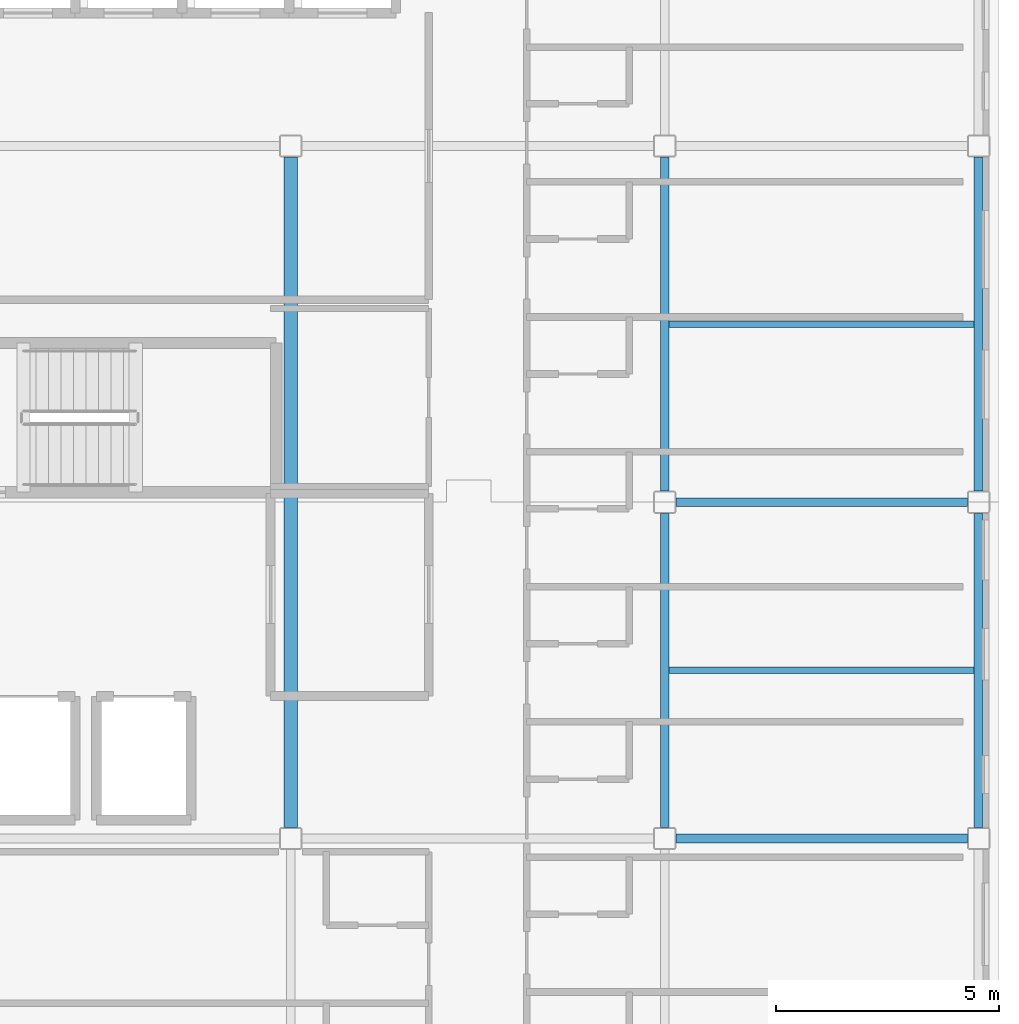
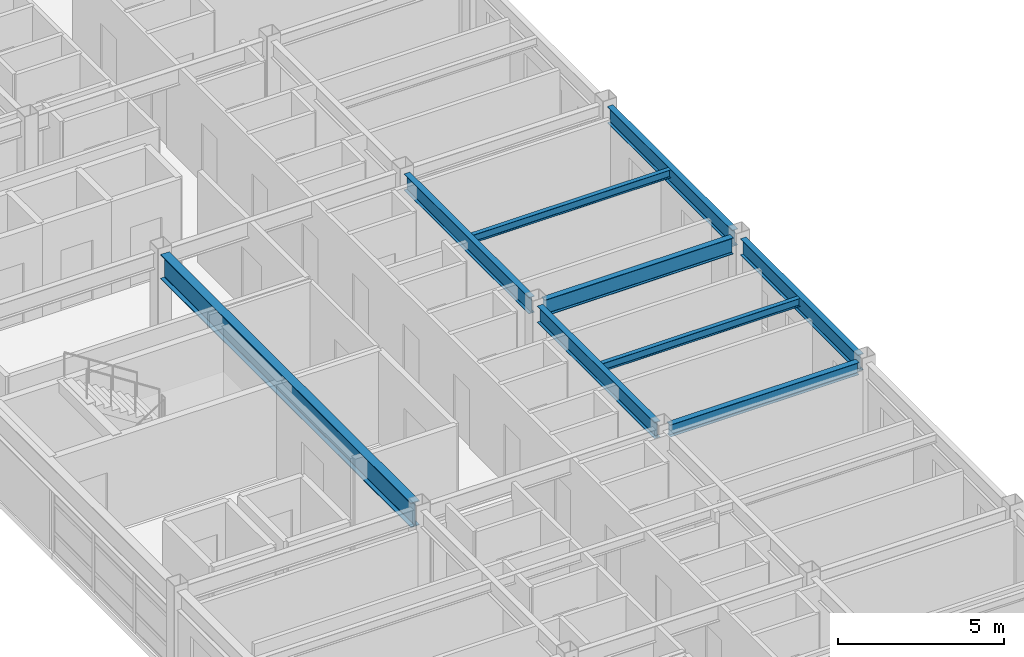
# One storey, part 13 of 33: 9 beams.
"""IFC4 building model written with IfcOpenShell, lengths in metres."""

from ifc_helpers import new_model, si_unit, direction, frame, origin, origin_2d, place, context, subcontext, project, spatial, i_section, extrude, material, material_profile, profile_set, type_object, element, save


model = new_model("IFC4")

# Units and contexts
model_context = context("Model", 3, precision=1e-05, world=origin(), true_north=direction((0.0, 1.0)))
body_context = subcontext(model_context, "Body", "Model", "MODEL_VIEW")
ifc_project = project(units=[si_unit("LENGTHUNIT", "METRE"), si_unit("AREAUNIT", "SQUARE_METRE"), si_unit("VOLUMEUNIT", "CUBIC_METRE"), si_unit("PLANEANGLEUNIT", "RADIAN"), si_unit("MASSUNIT", "GRAM", prefix="KILO")], contexts=[model_context])

# Site, building, storey
site_placement = place(None, origin())
site = spatial("IfcSite", under=ifc_project, at=site_placement, CompositionType="ELEMENT")
building_placement = place(site_placement, origin())
building = spatial("IfcBuilding", under=site, at=building_placement, Name="Kazehara Bluff Congress Hotel", CompositionType="ELEMENT")
storey_placement = place(building_placement, frame((0.0, 0.0, 39.0)))
storey = spatial("IfcBuildingStorey", under=building, at=storey_placement, Name="L09", CompositionType="ELEMENT", Elevation=39.0)

# Beams
ifc_material_1 = material(Name="Steel SN490B", Category="steel")
ifc_material_profile_1 = material_profile(ifc_material_1, i_section(OverallWidth=0.199951171875, OverallDepth=0.60009765625, WebThickness=0.010986328125, FlangeThickness=0.01708984375, FilletRadius=0.012939453125, at=origin_2d()))
ifc_profile_set_1 = profile_set([ifc_material_profile_1], Name="Steel SN490B")
beam_type_1 = type_object("IfcBeamType", Name="TP-G-02", PredefinedType="BEAM", material=ifc_profile_set_1)
beam_1_placement = place(storey_placement, frame((160.5, 41.14990234375, 3.080078125), z_axis=(0.0, 1.0, 0.0), x_axis=(-1.0, 0.0, 0.0)))
element("IfcBeam", 1, at=beam_1_placement, inside=storey, type_object=beam_type_1, Name="L09 girder G-02 23", PredefinedType="BEAM", context=body_context, shape_type="SweptSolid", body=[
    extrude(i_section(OverallWidth=0.199951171875, OverallDepth=0.60009765625, WebThickness=0.010986328125, FlangeThickness=0.01708984375, FilletRadius=0.012939453125, at=origin_2d()), origin(), (0.0, 0.0, 1.0), 7.050048828125),
])
beam_2_placement = place(storey_placement, frame((160.5, 48.699951171875, 3.080078125), z_axis=(0.0, 1.0, 0.0), x_axis=(-1.0, 0.0, 0.0)))
element("IfcBeam", 2, at=beam_2_placement, inside=storey, type_object=beam_type_1, Name="L09 girder G-02 24", PredefinedType="BEAM", context=body_context, shape_type="SweptSolid", body=[
    extrude(i_section(OverallWidth=0.199951171875, OverallDepth=0.60009765625, WebThickness=0.010986328125, FlangeThickness=0.01708984375, FilletRadius=0.012939453125, at=origin_2d()), origin(), (0.0, 0.0, 1.0), 7.5),
])
beam_3_placement = place(storey_placement, frame((167.550048828125, 41.14990234375, 3.080078125), z_axis=(0.0, 1.0, 0.0), x_axis=(-1.0, 0.0, 0.0)))
element("IfcBeam", 3, at=beam_3_placement, inside=storey, type_object=beam_type_1, Name="L09 girder G-02 31", PredefinedType="BEAM", context=body_context, shape_type="SweptSolid", body=[
    extrude(i_section(OverallWidth=0.199951171875, OverallDepth=0.60009765625, WebThickness=0.010986328125, FlangeThickness=0.01708984375, FilletRadius=0.012939453125, at=origin_2d()), origin(), (0.0, 0.0, 1.0), 7.050048828125),
])
beam_4_placement = place(storey_placement, frame((167.550048828125, 48.699951171875, 3.080078125), z_axis=(0.0, 1.0, 0.0), x_axis=(-1.0, 0.0, 0.0)))
element("IfcBeam", 4, at=beam_4_placement, inside=storey, type_object=beam_type_1, Name="L09 girder G-02 32", PredefinedType="BEAM", context=body_context, shape_type="SweptSolid", body=[
    extrude(i_section(OverallWidth=0.199951171875, OverallDepth=0.60009765625, WebThickness=0.010986328125, FlangeThickness=0.01708984375, FilletRadius=0.012939453125, at=origin_2d()), origin(), (0.0, 0.0, 1.0), 7.5),
])
ifc_material_2 = material(Name="Steel SN490B", Category="steel")
ifc_material_profile_2 = material_profile(ifc_material_2, i_section(OverallWidth=0.300048828125, OverallDepth=0.89990234375, WebThickness=0.01611328125, FlangeThickness=0.028076171875, FilletRadius=0.01806640625, at=origin_2d()))
ifc_profile_set_2 = profile_set([ifc_material_profile_2], Name="Steel SN490B")
beam_type_2 = type_object("IfcBeamType", Name="TP-G-08", PredefinedType="BEAM", material=ifc_profile_set_2)
beam_5_placement = place(storey_placement, frame((152.10009765625, 41.14990234375, 2.929931640625), z_axis=(0.0, 1.0, 0.0), x_axis=(-1.0, 0.0, 0.0)))
element("IfcBeam", 5, at=beam_5_placement, inside=storey, type_object=beam_type_2, Name="L09 girder G-08 15", PredefinedType="BEAM", context=body_context, shape_type="SweptSolid", body=[
    extrude(i_section(OverallWidth=0.300048828125, OverallDepth=0.89990234375, WebThickness=0.01611328125, FlangeThickness=0.028076171875, FilletRadius=0.01806640625, at=origin_2d()), origin(), (0.0, 0.0, 1.0), 15.050048828125),
])
ifc_material_3 = material(Name="Steel SN490B", Category="steel")
ifc_material_profile_3 = material_profile(ifc_material_3, i_section(OverallWidth=0.199951171875, OverallDepth=0.449951171875, WebThickness=0.009033203125, FlangeThickness=0.013916015625, FilletRadius=0.012939453125, at=origin_2d()))
ifc_profile_set_3 = profile_set([ifc_material_profile_3], Name="Steel SN490B")
beam_type_3 = type_object("IfcBeamType", Name="TP-G-11", PredefinedType="BEAM", material=ifc_profile_set_3)
beam_6_placement = place(storey_placement, frame((160.75, 40.89990234375, 3.155029296875), z_axis=(1.0, 0.0, 0.0), x_axis=(0.0, 1.0, 0.0)))
element("IfcBeam", 6, at=beam_6_placement, inside=storey, type_object=beam_type_3, Name="L09 girder G-11 50", PredefinedType="BEAM", context=body_context, shape_type="SweptSolid", body=[
    extrude(i_section(OverallWidth=0.199951171875, OverallDepth=0.449951171875, WebThickness=0.009033203125, FlangeThickness=0.013916015625, FilletRadius=0.012939453125, at=origin_2d()), origin(), (0.0, 0.0, 1.0), 6.550048828125),
])
ifc_material_4 = material(Name="Steel SN400B", Category="steel")
ifc_material_profile_4 = material_profile(ifc_material_4, i_section(OverallWidth=0.14990234375, OverallDepth=0.300048828125, WebThickness=0.006591796875, FlangeThickness=0.009033203125, FilletRadius=0.012939453125, at=origin_2d()))
ifc_profile_set_4 = profile_set([ifc_material_profile_4], Name="Steel SN400B")
beam_type_4 = type_object("IfcBeamType", Name="TP-J-01", PredefinedType="JOIST", material=ifc_profile_set_4)
for number, where, z_axis, x_axis, name in (
    (7, (160.60009765625, 44.675048828125, 3.22998046875), (1.0, 0.0, 0.0), (0.0, 1.0, 0.0), "L09 secondary joist J-01 16"),
    (8, (160.60009765625, 52.449951171875, 3.22998046875), (1.0, 0.0, 0.0), (0.0, 1.0, 0.0), "L09 secondary joist J-01 17"),
):
    element("IfcBeam", number, at=place(storey_placement, frame(where, z_axis=z_axis, x_axis=x_axis)), inside=storey, type_object=beam_type_4, Name=name, PredefinedType="JOIST", context=body_context, shape_type="SweptSolid", body=[
        extrude(i_section(OverallWidth=0.14990234375, OverallDepth=0.300048828125, WebThickness=0.006591796875, FlangeThickness=0.009033203125, FilletRadius=0.012939453125, at=origin_2d()), origin(), (0.0, 0.0, 1.0), 6.849853515625),
    ])
ifc_material_5 = material(Name="Steel SN490B", Category="steel")
ifc_material_profile_5 = material_profile(ifc_material_5, i_section(OverallWidth=0.199951171875, OverallDepth=0.60009765625, WebThickness=0.010986328125, FlangeThickness=0.01708984375, FilletRadius=0.012939453125, at=origin_2d()))
ifc_profile_set_5 = profile_set([ifc_material_profile_5], Name="Steel SN490B")
beam_type_5 = type_object("IfcBeamType", Name="TP-SP-02", PredefinedType="SPANDREL", material=ifc_profile_set_5)
beam_7_placement = place(storey_placement, frame((160.75, 48.449951171875, 3.080078125), z_axis=(1.0, 0.0, 0.0), x_axis=(0.0, 1.0, 0.0)))
element("IfcBeam", 9, at=beam_7_placement, inside=storey, type_object=beam_type_5, Name="L09 girder SP-02 51", PredefinedType="SPANDREL", context=body_context, shape_type="SweptSolid", body=[
    extrude(i_section(OverallWidth=0.199951171875, OverallDepth=0.60009765625, WebThickness=0.010986328125, FlangeThickness=0.01708984375, FilletRadius=0.012939453125, at=origin_2d()), origin(), (0.0, 0.0, 1.0), 6.550048828125),
])

save(model, "model.ifc")
